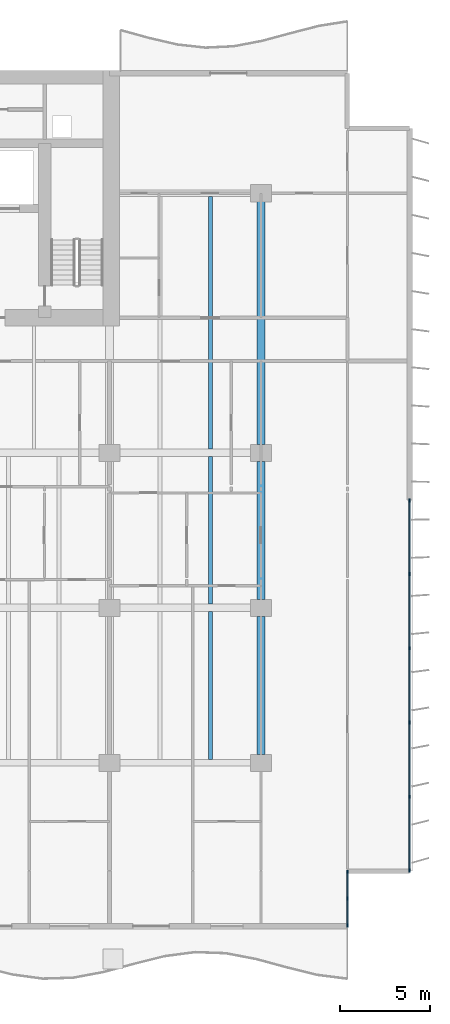
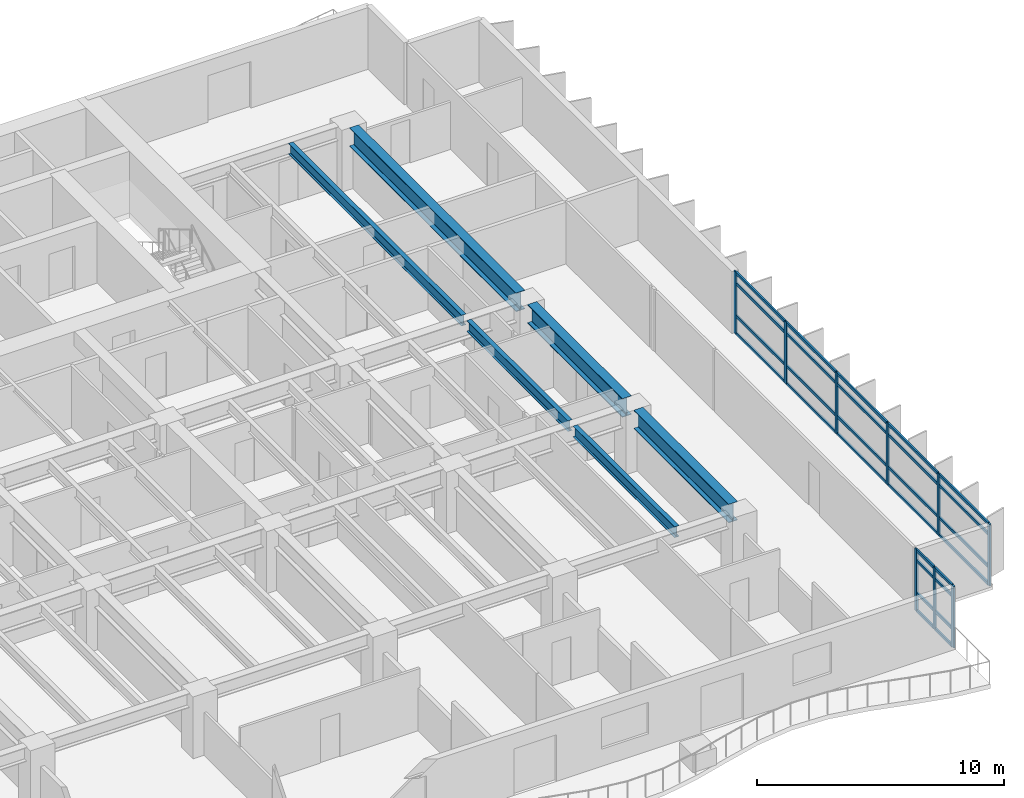
# One storey, part 4 of 18: 37 members, 6 beams, 2 elements without a shape of their own.
"""IFC4 building model written with IfcOpenShell, lengths in metres."""

from ifc_helpers import new_model, si_unit, direction, frame, origin, origin_2d, place, context, subcontext, project, spatial, rectangle, i_section, extrude, material, layer, layer_set, material_profile, profile_set, type_object, element, aggregate, save


model = new_model("IFC4")

# Units and contexts
model_context = context("Model", 3, precision=1e-05, world=origin(), true_north=direction((0.0, 1.0)))
body_context = subcontext(model_context, "Body", "Model", "MODEL_VIEW")
ifc_project = project(units=[si_unit("LENGTHUNIT", "METRE"), si_unit("AREAUNIT", "SQUARE_METRE"), si_unit("VOLUMEUNIT", "CUBIC_METRE"), si_unit("PLANEANGLEUNIT", "RADIAN"), si_unit("MASSUNIT", "GRAM", prefix="KILO")], contexts=[model_context])

# Site, building, storey
site_placement = place(None, origin())
site = spatial("IfcSite", under=ifc_project, at=site_placement, CompositionType="ELEMENT")
building_placement = place(site_placement, origin())
building = spatial("IfcBuilding", under=site, at=building_placement, Name="Caelmar Bay Residences", CompositionType="ELEMENT")
storey_placement = place(building_placement, frame((0.0, 0.0, 36.60009765625)))
storey = spatial("IfcBuildingStorey", under=building, at=storey_placement, Name="L08", CompositionType="ELEMENT", Elevation=36.60009765625)

# Beams
ifc_material_1 = material(Name="Steel ASTM A992 Grade 50", Category="steel")
ifc_material_profile_1 = material_profile(ifc_material_1, i_section(OverallWidth=0.422119140625, OverallDepth=0.925048828125, WebThickness=0.021240234375, FlangeThickness=0.03662109375, FilletRadius=0.020263671875, at=origin_2d()), Name="W36X262")
ifc_profile_set_1 = profile_set([ifc_material_profile_1], Name="Steel ASTM A992 Grade 50")
beam_type_1 = type_object("IfcBeamType", Name="BM-GRD-W36X262", PredefinedType="BEAM", material=ifc_profile_set_1)
beam_1_placement = place(storey_placement, frame((67.89990234375, 12.6650390625, 2.58740234375), z_axis=(0.0, 1.0, 0.0), x_axis=(-1.0, 0.0, 0.0)))
element("IfcBeam", 1, at=beam_1_placement, inside=storey, type_object=beam_type_1, Name="L08 North-South Girder X=67.90 (12.2-20.8)", PredefinedType="BEAM", context=body_context, shape_type="SweptSolid", body=[
    extrude(i_section(OverallWidth=0.422119140625, OverallDepth=0.925048828125, WebThickness=0.021240234375, FlangeThickness=0.03662109375, FilletRadius=0.020263671875, at=origin_2d()), origin(), (0.0, 0.0, 1.0), 7.669921875),
])
beam_2_placement = place(storey_placement, frame((67.89990234375, 21.264892578125, 2.58740234375), z_axis=(0.0, 1.0, 0.0), x_axis=(-1.0, 0.0, 0.0)))
element("IfcBeam", 2, at=beam_2_placement, inside=storey, type_object=beam_type_1, Name="L08 North-South Girder X=67.90 (20.8-29.4)", PredefinedType="BEAM", context=body_context, shape_type="SweptSolid", body=[
    extrude(i_section(OverallWidth=0.422119140625, OverallDepth=0.925048828125, WebThickness=0.021240234375, FlangeThickness=0.03662109375, FilletRadius=0.020263671875, at=origin_2d()), origin(), (0.0, 0.0, 1.0), 7.670166015625),
])
beam_3_placement = place(storey_placement, frame((67.89990234375, 29.864990234375, 2.58740234375), z_axis=(0.0, 1.0, 0.0), x_axis=(-1.0, 0.0, 0.0)))
element("IfcBeam", 3, at=beam_3_placement, inside=storey, type_object=beam_type_1, Name="L08 North-South Girder X=67.90 (29.4-43.8)", PredefinedType="BEAM", context=body_context, shape_type="SweptSolid", body=[
    extrude(i_section(OverallWidth=0.422119140625, OverallDepth=0.925048828125, WebThickness=0.021240234375, FlangeThickness=0.03662109375, FilletRadius=0.020263671875, at=origin_2d()), origin(), (0.0, 0.0, 1.0), 13.469970703125),
])
ifc_material_profile_2 = material_profile(ifc_material_1, i_section(OverallWidth=0.2099609375, OverallDepth=0.535888671875, WebThickness=0.010986328125, FlangeThickness=0.017333984375, FilletRadius=0.0126953125, at=origin_2d()), Name="W21X68")
ifc_profile_set_2 = profile_set([ifc_material_profile_2], Name="Steel ASTM A992 Grade 50")
beam_type_2 = type_object("IfcBeamType", Name="BM-JST-W21X68", PredefinedType="JOIST", material=ifc_profile_set_2)
beam_4_placement = place(storey_placement, frame((65.10009765625, 12.3779296875, 2.781982421875), z_axis=(0.0, 1.0, 0.0), x_axis=(-1.0, 0.0, 0.0)))
element("IfcBeam", 4, at=beam_4_placement, inside=storey, type_object=beam_type_2, Name="L08 Composite Floor Joist 14", PredefinedType="JOIST", context=body_context, shape_type="SweptSolid", body=[
    extrude(i_section(OverallWidth=0.2099609375, OverallDepth=0.535888671875, WebThickness=0.010986328125, FlangeThickness=0.017333984375, FilletRadius=0.0126953125, at=origin_2d()), origin(), (0.0, 0.0, 1.0), 8.211181640625),
])
beam_5_placement = place(storey_placement, frame((65.10009765625, 21.010986328125, 2.781982421875), z_axis=(0.0, 1.0, 0.0), x_axis=(-1.0, 0.0, 0.0)))
element("IfcBeam", 5, at=beam_5_placement, inside=storey, type_object=beam_type_2, Name="L08 Composite Floor Joist 28", PredefinedType="JOIST", context=body_context, shape_type="SweptSolid", body=[
    extrude(i_section(OverallWidth=0.2099609375, OverallDepth=0.535888671875, WebThickness=0.010986328125, FlangeThickness=0.017333984375, FilletRadius=0.0126953125, at=origin_2d()), origin(), (0.0, 0.0, 1.0), 8.177978515625),
])
beam_6_placement = place(storey_placement, frame((65.10009765625, 29.611083984375, 2.781982421875), z_axis=(0.0, 1.0, 0.0), x_axis=(-1.0, 0.0, 0.0)))
element("IfcBeam", 6, at=beam_6_placement, inside=storey, type_object=beam_type_2, Name="L08 Composite Floor Joist 37", PredefinedType="JOIST", context=body_context, shape_type="SweptSolid", body=[
    extrude(i_section(OverallWidth=0.2099609375, OverallDepth=0.535888671875, WebThickness=0.010986328125, FlangeThickness=0.017333984375, FilletRadius=0.0126953125, at=origin_2d()), origin(), (0.0, 0.0, 1.0), 14.010986328125),
])

# Curtain wall, members
ifc_material_2 = material(Name="Anodised bronze aluminium 6063-T6 and laminated glass", Category="aluminium")
ifc_layer_1 = layer(ifc_material_2, 0.179931640625)
ifc_layer_set_1 = layer_set([ifc_layer_1], Name="Anodised bronze aluminium 6063-T6 and laminated glass")
curtain_wall_type_1 = type_object("IfcCurtainWallType", Name="CW6-NTC", PredefinedType="NOTDEFINED", material=ifc_layer_set_1)
curtain_wall_1_placement = place(storey_placement, origin())
curtain_wall_1 = element("IfcCurtainWall", 7, at=curtain_wall_1_placement, inside=storey, type_object=curtain_wall_type_1, Name="CW6 curtain wall L08", PredefinedType="NOTDEFINED")
ifc_material_3 = material(Name="Anodised bronze aluminium 6063-T6", Category="aluminium")
ifc_material_profile_3 = material_profile(ifc_material_3, rectangle(XDim=0.080078125, YDim=0.179931640625, at=origin_2d()), Name="CWM-80X180")
ifc_profile_set_3 = profile_set([ifc_material_profile_3], Name="Anodised bronze aluminium 6063-T6")
member_type_1 = type_object("IfcMemberType", Name="CWM-180", PredefinedType="MULLION", material=ifc_profile_set_3)
member_1_placement = place(storey_placement, frame((72.699951171875, 3.18994140625, 0.0), z_axis=(0.0, 0.0, 1.0), x_axis=(-1.0, 0.0, 0.0)))
member_1 = element("IfcMember", 8, at=member_1_placement, type_object=member_type_1, Name="CW6 mullion 1", PredefinedType="MULLION", context=body_context, shape_type="SweptSolid", body=[
    extrude(rectangle(XDim=0.080078125, YDim=0.179931640625, at=origin_2d()), origin(), (0.0, 0.0, 1.0), 3.0498046875),
])
member_2_placement = place(storey_placement, frame((72.699951171875, 4.675048828125, 0.0), z_axis=(0.0, 0.0, 1.0), x_axis=(-1.0, 0.0, 0.0)))
member_2 = element("IfcMember", 9, at=member_2_placement, type_object=member_type_1, Name="CW6 mullion 2", PredefinedType="MULLION", context=body_context, shape_type="SweptSolid", body=[
    extrude(rectangle(XDim=0.080078125, YDim=0.179931640625, at=origin_2d()), origin(), (0.0, 0.0, 1.0), 3.0498046875),
])
member_3_placement = place(storey_placement, frame((72.699951171875, 6.159912109375, 0.0), z_axis=(0.0, 0.0, 1.0), x_axis=(-1.0, 0.0, 0.0)))
member_3 = element("IfcMember", 10, at=member_3_placement, type_object=member_type_1, Name="CW6 mullion 3", PredefinedType="MULLION", context=body_context, shape_type="SweptSolid", body=[
    extrude(rectangle(XDim=0.080078125, YDim=0.179931640625, at=origin_2d()), origin(), (0.0, 0.0, 1.0), 3.0498046875),
])

ifc_layer_2 = layer(ifc_material_2, 0.179931640625)
ifc_layer_set_2 = layer_set([ifc_layer_2], Name="Anodised bronze aluminium 6063-T6 and laminated glass")
curtain_wall_type_2 = type_object("IfcCurtainWallType", Name="CW2-Z1", PredefinedType="NOTDEFINED", material=ifc_layer_set_2)
curtain_wall_2_placement = place(storey_placement, origin())
curtain_wall_2 = element("IfcCurtainWall", 11, at=curtain_wall_2_placement, inside=storey, type_object=curtain_wall_type_2, Name="CW2 curtain wall L08", PredefinedType="NOTDEFINED")
member_4_placement = place(storey_placement, frame((76.14990234375, 26.760009765625, 0.0), z_axis=(0.0, 0.0, 1.0), x_axis=(1.0, 0.0, 0.0)))
member_4 = element("IfcMember", 12, at=member_4_placement, type_object=member_type_1, Name="CW2 mullion 1", PredefinedType="MULLION", context=body_context, shape_type="SweptSolid", body=[
    extrude(rectangle(XDim=0.080078125, YDim=0.179931640625, at=origin_2d()), origin(), (0.0, 0.0, 1.0), 3.0498046875),
])
member_5_placement = place(storey_placement, frame((76.14990234375, 22.679931640625, 0.0), z_axis=(0.0, 0.0, 1.0), x_axis=(1.0, 0.0, 0.0)))
member_5 = element("IfcMember", 13, at=member_5_placement, type_object=member_type_1, Name="CW2 mullion 2", PredefinedType="MULLION", context=body_context, shape_type="SweptSolid", body=[
    extrude(rectangle(XDim=0.080078125, YDim=0.179931640625, at=origin_2d()), origin(), (0.0, 0.0, 1.0), 3.0498046875),
])
member_6_placement = place(storey_placement, frame((76.14990234375, 18.56005859375, 0.0), z_axis=(0.0, 0.0, 1.0), x_axis=(1.0, 0.0, 0.0)))
member_6 = element("IfcMember", 14, at=member_6_placement, type_object=member_type_1, Name="CW2 mullion 3", PredefinedType="MULLION", context=body_context, shape_type="SweptSolid", body=[
    extrude(rectangle(XDim=0.080078125, YDim=0.179931640625, at=origin_2d()), origin(), (0.0, 0.0, 1.0), 3.0498046875),
])
member_7_placement = place(storey_placement, frame((76.14990234375, 14.43994140625, 0.0), z_axis=(0.0, 0.0, 1.0), x_axis=(1.0, 0.0, 0.0)))
member_7 = element("IfcMember", 15, at=member_7_placement, type_object=member_type_1, Name="CW2 mullion 4", PredefinedType="MULLION", context=body_context, shape_type="SweptSolid", body=[
    extrude(rectangle(XDim=0.080078125, YDim=0.179931640625, at=origin_2d()), origin(), (0.0, 0.0, 1.0), 3.0498046875),
])
member_8_placement = place(storey_placement, frame((76.14990234375, 10.320068359375, 0.0), z_axis=(0.0, 0.0, 1.0), x_axis=(1.0, 0.0, 0.0)))
member_8 = element("IfcMember", 16, at=member_8_placement, type_object=member_type_1, Name="CW2 mullion 5", PredefinedType="MULLION", context=body_context, shape_type="SweptSolid", body=[
    extrude(rectangle(XDim=0.080078125, YDim=0.179931640625, at=origin_2d()), origin(), (0.0, 0.0, 1.0), 3.0498046875),
])
member_9_placement = place(storey_placement, frame((76.14990234375, 6.239990234375, 0.0), z_axis=(0.0, 0.0, 1.0), x_axis=(1.0, 0.0, 0.0)))
member_9 = element("IfcMember", 17, at=member_9_placement, type_object=member_type_1, Name="CW2 mullion 6", PredefinedType="MULLION", context=body_context, shape_type="SweptSolid", body=[
    extrude(rectangle(XDim=0.080078125, YDim=0.179931640625, at=origin_2d()), origin(), (0.0, 0.0, 1.0), 3.0498046875),
])

# Member
ifc_material_profile_4 = material_profile(ifc_material_3, rectangle(XDim=0.080078125, YDim=0.139892578125, at=origin_2d()), Name="CWT-80X140")
ifc_profile_set_4 = profile_set([ifc_material_profile_4], Name="Anodised bronze aluminium 6063-T6")
member_type_2 = type_object("IfcMemberType", Name="CWT-140", PredefinedType="NOTDEFINED", material=ifc_profile_set_4)
member_10_placement = place(storey_placement, frame((72.699951171875, 3.22998046875, 0.039794921875), z_axis=(0.0, 1.0, 0.0), x_axis=(-1.0, 0.0, 0.0)))
member_10 = element("IfcMember", 18, at=member_10_placement, type_object=member_type_2, Name="CW6 transom 1.1", ObjectType="TRANSOM", PredefinedType="USERDEFINED", context=body_context, shape_type="SweptSolid", body=[
    extrude(rectangle(XDim=0.080078125, YDim=0.139892578125, at=origin_2d()), origin(), (0.0, 0.0, 1.0), 1.405029296875),
])

member_11_placement = place(storey_placement, frame((72.699951171875, 3.22998046875, 0.89990234375), z_axis=(0.0, 1.0, 0.0), x_axis=(-1.0, 0.0, 0.0)))
member_11 = element("IfcMember", 19, at=member_11_placement, type_object=member_type_2, Name="CW6 transom 1.2", ObjectType="TRANSOM", PredefinedType="USERDEFINED", context=body_context, shape_type="SweptSolid", body=[
    extrude(rectangle(XDim=0.080078125, YDim=0.139892578125, at=origin_2d()), origin(), (0.0, 0.0, 1.0), 1.405029296875),
])

member_12_placement = place(storey_placement, frame((72.699951171875, 3.22998046875, 2.5), z_axis=(0.0, 1.0, 0.0), x_axis=(-1.0, 0.0, 0.0)))
member_12 = element("IfcMember", 20, at=member_12_placement, type_object=member_type_2, Name="CW6 transom 1.3", ObjectType="TRANSOM", PredefinedType="USERDEFINED", context=body_context, shape_type="SweptSolid", body=[
    extrude(rectangle(XDim=0.080078125, YDim=0.139892578125, at=origin_2d()), origin(), (0.0, 0.0, 1.0), 1.405029296875),
])

member_13_placement = place(storey_placement, frame((72.699951171875, 3.22998046875, 3.010009765625), z_axis=(0.0, 1.0, 0.0), x_axis=(-1.0, 0.0, 0.0)))
member_13 = element("IfcMember", 21, at=member_13_placement, type_object=member_type_2, Name="CW6 transom 1.4", ObjectType="TRANSOM", PredefinedType="USERDEFINED", context=body_context, shape_type="SweptSolid", body=[
    extrude(rectangle(XDim=0.080078125, YDim=0.139892578125, at=origin_2d()), origin(), (0.0, 0.0, 1.0), 1.405029296875),
])

member_14_placement = place(storey_placement, frame((72.699951171875, 4.715087890625, 0.039794921875), z_axis=(0.0, 1.0, 0.0), x_axis=(-1.0, 0.0, 0.0)))
member_14 = element("IfcMember", 22, at=member_14_placement, type_object=member_type_2, Name="CW6 transom 2.1", ObjectType="TRANSOM", PredefinedType="USERDEFINED", context=body_context, shape_type="SweptSolid", body=[
    extrude(rectangle(XDim=0.080078125, YDim=0.139892578125, at=origin_2d()), origin(), (0.0, 0.0, 1.0), 1.405029296875),
])

member_15_placement = place(storey_placement, frame((72.699951171875, 4.715087890625, 0.89990234375), z_axis=(0.0, 1.0, 0.0), x_axis=(-1.0, 0.0, 0.0)))
member_15 = element("IfcMember", 23, at=member_15_placement, type_object=member_type_2, Name="CW6 transom 2.2", ObjectType="TRANSOM", PredefinedType="USERDEFINED", context=body_context, shape_type="SweptSolid", body=[
    extrude(rectangle(XDim=0.080078125, YDim=0.139892578125, at=origin_2d()), origin(), (0.0, 0.0, 1.0), 1.405029296875),
])

member_16_placement = place(storey_placement, frame((72.699951171875, 4.715087890625, 2.5), z_axis=(0.0, 1.0, 0.0), x_axis=(-1.0, 0.0, 0.0)))
member_16 = element("IfcMember", 24, at=member_16_placement, type_object=member_type_2, Name="CW6 transom 2.3", ObjectType="TRANSOM", PredefinedType="USERDEFINED", context=body_context, shape_type="SweptSolid", body=[
    extrude(rectangle(XDim=0.080078125, YDim=0.139892578125, at=origin_2d()), origin(), (0.0, 0.0, 1.0), 1.405029296875),
])

member_17_placement = place(storey_placement, frame((72.699951171875, 4.715087890625, 3.010009765625), z_axis=(0.0, 1.0, 0.0), x_axis=(-1.0, 0.0, 0.0)))
member_17 = element("IfcMember", 25, at=member_17_placement, type_object=member_type_2, Name="CW6 transom 2.4", ObjectType="TRANSOM", PredefinedType="USERDEFINED", context=body_context, shape_type="SweptSolid", body=[
    extrude(rectangle(XDim=0.080078125, YDim=0.139892578125, at=origin_2d()), origin(), (0.0, 0.0, 1.0), 1.405029296875),
])

aggregate(curtain_wall_1, [member_1, member_2, member_3, member_10, member_11, member_12, member_13, member_14, member_15, member_16, member_17])

member_18_placement = place(storey_placement, frame((76.14990234375, 26.719970703125, 0.039794921875), z_axis=(0.0, -1.0, 0.0), x_axis=(1.0, 0.0, 0.0)))
member_18 = element("IfcMember", 26, at=member_18_placement, type_object=member_type_2, Name="CW2 transom 1.1", ObjectType="TRANSOM", PredefinedType="USERDEFINED", context=body_context, shape_type="SweptSolid", body=[
    extrude(rectangle(XDim=0.080078125, YDim=0.139892578125, at=origin_2d()), origin(), (0.0, 0.0, 1.0), 4.0),
])

member_19_placement = place(storey_placement, frame((76.14990234375, 26.719970703125, 0.89990234375), z_axis=(0.0, -1.0, 0.0), x_axis=(1.0, 0.0, 0.0)))
member_19 = element("IfcMember", 27, at=member_19_placement, type_object=member_type_2, Name="CW2 transom 1.2", ObjectType="TRANSOM", PredefinedType="USERDEFINED", context=body_context, shape_type="SweptSolid", body=[
    extrude(rectangle(XDim=0.080078125, YDim=0.139892578125, at=origin_2d()), origin(), (0.0, 0.0, 1.0), 4.0),
])

member_20_placement = place(storey_placement, frame((76.14990234375, 26.719970703125, 2.5), z_axis=(0.0, -1.0, 0.0), x_axis=(1.0, 0.0, 0.0)))
member_20 = element("IfcMember", 28, at=member_20_placement, type_object=member_type_2, Name="CW2 transom 1.3", ObjectType="TRANSOM", PredefinedType="USERDEFINED", context=body_context, shape_type="SweptSolid", body=[
    extrude(rectangle(XDim=0.080078125, YDim=0.139892578125, at=origin_2d()), origin(), (0.0, 0.0, 1.0), 4.0),
])

member_21_placement = place(storey_placement, frame((76.14990234375, 26.719970703125, 3.010009765625), z_axis=(0.0, -1.0, 0.0), x_axis=(1.0, 0.0, 0.0)))
member_21 = element("IfcMember", 29, at=member_21_placement, type_object=member_type_2, Name="CW2 transom 1.4", ObjectType="TRANSOM", PredefinedType="USERDEFINED", context=body_context, shape_type="SweptSolid", body=[
    extrude(rectangle(XDim=0.080078125, YDim=0.139892578125, at=origin_2d()), origin(), (0.0, 0.0, 1.0), 4.0),
])

member_22_placement = place(storey_placement, frame((76.14990234375, 22.639892578125, 0.039794921875), z_axis=(0.0, -1.0, 0.0), x_axis=(1.0, 0.0, 0.0)))
member_22 = element("IfcMember", 30, at=member_22_placement, type_object=member_type_2, Name="CW2 transom 2.1", ObjectType="TRANSOM", PredefinedType="USERDEFINED", context=body_context, shape_type="SweptSolid", body=[
    extrude(rectangle(XDim=0.080078125, YDim=0.139892578125, at=origin_2d()), origin(), (0.0, 0.0, 1.0), 4.039794921875),
])

member_23_placement = place(storey_placement, frame((76.14990234375, 22.639892578125, 0.89990234375), z_axis=(0.0, -1.0, 0.0), x_axis=(1.0, 0.0, 0.0)))
member_23 = element("IfcMember", 31, at=member_23_placement, type_object=member_type_2, Name="CW2 transom 2.2", ObjectType="TRANSOM", PredefinedType="USERDEFINED", context=body_context, shape_type="SweptSolid", body=[
    extrude(rectangle(XDim=0.080078125, YDim=0.139892578125, at=origin_2d()), origin(), (0.0, 0.0, 1.0), 4.039794921875),
])

member_24_placement = place(storey_placement, frame((76.14990234375, 22.639892578125, 2.5), z_axis=(0.0, -1.0, 0.0), x_axis=(1.0, 0.0, 0.0)))
member_24 = element("IfcMember", 32, at=member_24_placement, type_object=member_type_2, Name="CW2 transom 2.3", ObjectType="TRANSOM", PredefinedType="USERDEFINED", context=body_context, shape_type="SweptSolid", body=[
    extrude(rectangle(XDim=0.080078125, YDim=0.139892578125, at=origin_2d()), origin(), (0.0, 0.0, 1.0), 4.039794921875),
])

member_25_placement = place(storey_placement, frame((76.14990234375, 22.639892578125, 3.010009765625), z_axis=(0.0, -1.0, 0.0), x_axis=(1.0, 0.0, 0.0)))
member_25 = element("IfcMember", 33, at=member_25_placement, type_object=member_type_2, Name="CW2 transom 2.4", ObjectType="TRANSOM", PredefinedType="USERDEFINED", context=body_context, shape_type="SweptSolid", body=[
    extrude(rectangle(XDim=0.080078125, YDim=0.139892578125, at=origin_2d()), origin(), (0.0, 0.0, 1.0), 4.039794921875),
])

member_26_placement = place(storey_placement, frame((76.14990234375, 18.52001953125, 0.039794921875), z_axis=(0.0, -1.0, 0.0), x_axis=(1.0, 0.0, 0.0)))
member_26 = element("IfcMember", 34, at=member_26_placement, type_object=member_type_2, Name="CW2 transom 3.1", ObjectType="TRANSOM", PredefinedType="USERDEFINED", context=body_context, shape_type="SweptSolid", body=[
    extrude(rectangle(XDim=0.080078125, YDim=0.139892578125, at=origin_2d()), origin(), (0.0, 0.0, 1.0), 4.0400390625),
])

member_27_placement = place(storey_placement, frame((76.14990234375, 18.52001953125, 0.89990234375), z_axis=(0.0, -1.0, 0.0), x_axis=(1.0, 0.0, 0.0)))
member_27 = element("IfcMember", 35, at=member_27_placement, type_object=member_type_2, Name="CW2 transom 3.2", ObjectType="TRANSOM", PredefinedType="USERDEFINED", context=body_context, shape_type="SweptSolid", body=[
    extrude(rectangle(XDim=0.080078125, YDim=0.139892578125, at=origin_2d()), origin(), (0.0, 0.0, 1.0), 4.0400390625),
])

member_28_placement = place(storey_placement, frame((76.14990234375, 18.52001953125, 2.5), z_axis=(0.0, -1.0, 0.0), x_axis=(1.0, 0.0, 0.0)))
member_28 = element("IfcMember", 36, at=member_28_placement, type_object=member_type_2, Name="CW2 transom 3.3", ObjectType="TRANSOM", PredefinedType="USERDEFINED", context=body_context, shape_type="SweptSolid", body=[
    extrude(rectangle(XDim=0.080078125, YDim=0.139892578125, at=origin_2d()), origin(), (0.0, 0.0, 1.0), 4.0400390625),
])

member_29_placement = place(storey_placement, frame((76.14990234375, 18.52001953125, 3.010009765625), z_axis=(0.0, -1.0, 0.0), x_axis=(1.0, 0.0, 0.0)))
member_29 = element("IfcMember", 37, at=member_29_placement, type_object=member_type_2, Name="CW2 transom 3.4", ObjectType="TRANSOM", PredefinedType="USERDEFINED", context=body_context, shape_type="SweptSolid", body=[
    extrude(rectangle(XDim=0.080078125, YDim=0.139892578125, at=origin_2d()), origin(), (0.0, 0.0, 1.0), 4.0400390625),
])

member_30_placement = place(storey_placement, frame((76.14990234375, 14.39990234375, 0.039794921875), z_axis=(0.0, -1.0, 0.0), x_axis=(1.0, 0.0, 0.0)))
member_30 = element("IfcMember", 38, at=member_30_placement, type_object=member_type_2, Name="CW2 transom 4.1", ObjectType="TRANSOM", PredefinedType="USERDEFINED", context=body_context, shape_type="SweptSolid", body=[
    extrude(rectangle(XDim=0.080078125, YDim=0.139892578125, at=origin_2d()), origin(), (0.0, 0.0, 1.0), 4.039794921875),
])

member_31_placement = place(storey_placement, frame((76.14990234375, 14.39990234375, 0.89990234375), z_axis=(0.0, -1.0, 0.0), x_axis=(1.0, 0.0, 0.0)))
member_31 = element("IfcMember", 39, at=member_31_placement, type_object=member_type_2, Name="CW2 transom 4.2", ObjectType="TRANSOM", PredefinedType="USERDEFINED", context=body_context, shape_type="SweptSolid", body=[
    extrude(rectangle(XDim=0.080078125, YDim=0.139892578125, at=origin_2d()), origin(), (0.0, 0.0, 1.0), 4.039794921875),
])

member_32_placement = place(storey_placement, frame((76.14990234375, 14.39990234375, 2.5), z_axis=(0.0, -1.0, 0.0), x_axis=(1.0, 0.0, 0.0)))
member_32 = element("IfcMember", 40, at=member_32_placement, type_object=member_type_2, Name="CW2 transom 4.3", ObjectType="TRANSOM", PredefinedType="USERDEFINED", context=body_context, shape_type="SweptSolid", body=[
    extrude(rectangle(XDim=0.080078125, YDim=0.139892578125, at=origin_2d()), origin(), (0.0, 0.0, 1.0), 4.039794921875),
])

member_33_placement = place(storey_placement, frame((76.14990234375, 14.39990234375, 3.010009765625), z_axis=(0.0, -1.0, 0.0), x_axis=(1.0, 0.0, 0.0)))
member_33 = element("IfcMember", 41, at=member_33_placement, type_object=member_type_2, Name="CW2 transom 4.4", ObjectType="TRANSOM", PredefinedType="USERDEFINED", context=body_context, shape_type="SweptSolid", body=[
    extrude(rectangle(XDim=0.080078125, YDim=0.139892578125, at=origin_2d()), origin(), (0.0, 0.0, 1.0), 4.039794921875),
])

member_34_placement = place(storey_placement, frame((76.14990234375, 10.280029296875, 0.039794921875), z_axis=(0.0, -1.0, 0.0), x_axis=(1.0, 0.0, 0.0)))
member_34 = element("IfcMember", 42, at=member_34_placement, type_object=member_type_2, Name="CW2 transom 5.1", ObjectType="TRANSOM", PredefinedType="USERDEFINED", context=body_context, shape_type="SweptSolid", body=[
    extrude(rectangle(XDim=0.080078125, YDim=0.139892578125, at=origin_2d()), origin(), (0.0, 0.0, 1.0), 4.0),
])

member_35_placement = place(storey_placement, frame((76.14990234375, 10.280029296875, 0.89990234375), z_axis=(0.0, -1.0, 0.0), x_axis=(1.0, 0.0, 0.0)))
member_35 = element("IfcMember", 43, at=member_35_placement, type_object=member_type_2, Name="CW2 transom 5.2", ObjectType="TRANSOM", PredefinedType="USERDEFINED", context=body_context, shape_type="SweptSolid", body=[
    extrude(rectangle(XDim=0.080078125, YDim=0.139892578125, at=origin_2d()), origin(), (0.0, 0.0, 1.0), 4.0),
])

member_36_placement = place(storey_placement, frame((76.14990234375, 10.280029296875, 2.5), z_axis=(0.0, -1.0, 0.0), x_axis=(1.0, 0.0, 0.0)))
member_36 = element("IfcMember", 44, at=member_36_placement, type_object=member_type_2, Name="CW2 transom 5.3", ObjectType="TRANSOM", PredefinedType="USERDEFINED", context=body_context, shape_type="SweptSolid", body=[
    extrude(rectangle(XDim=0.080078125, YDim=0.139892578125, at=origin_2d()), origin(), (0.0, 0.0, 1.0), 4.0),
])

member_37_placement = place(storey_placement, frame((76.14990234375, 10.280029296875, 3.010009765625), z_axis=(0.0, -1.0, 0.0), x_axis=(1.0, 0.0, 0.0)))
member_37 = element("IfcMember", 45, at=member_37_placement, type_object=member_type_2, Name="CW2 transom 5.4", ObjectType="TRANSOM", PredefinedType="USERDEFINED", context=body_context, shape_type="SweptSolid", body=[
    extrude(rectangle(XDim=0.080078125, YDim=0.139892578125, at=origin_2d()), origin(), (0.0, 0.0, 1.0), 4.0),
])

aggregate(curtain_wall_2, [member_4, member_5, member_6, member_7, member_8, member_9, member_18, member_19, member_20, member_21, member_22, member_23, member_24, member_25, member_26, member_27, member_28, member_29, member_30, member_31, member_32, member_33, member_34, member_35, member_36, member_37])

save(model, "model.ifc")
